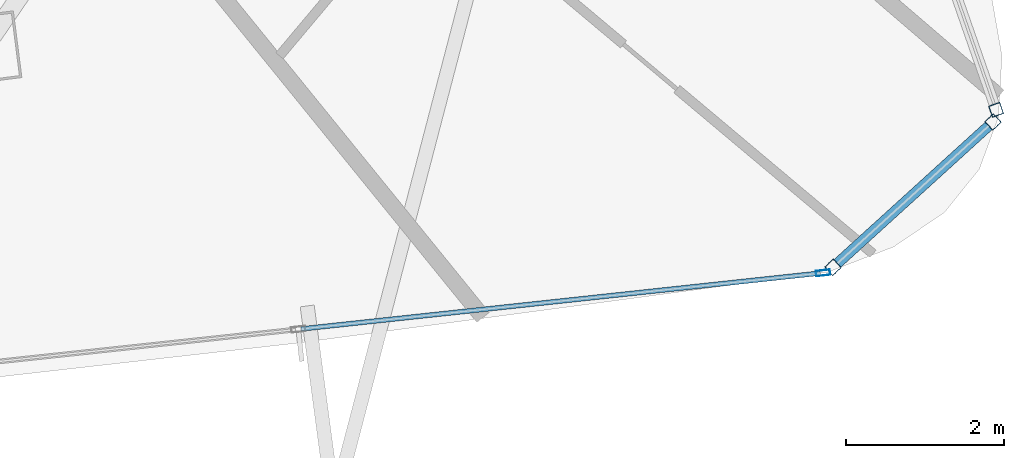
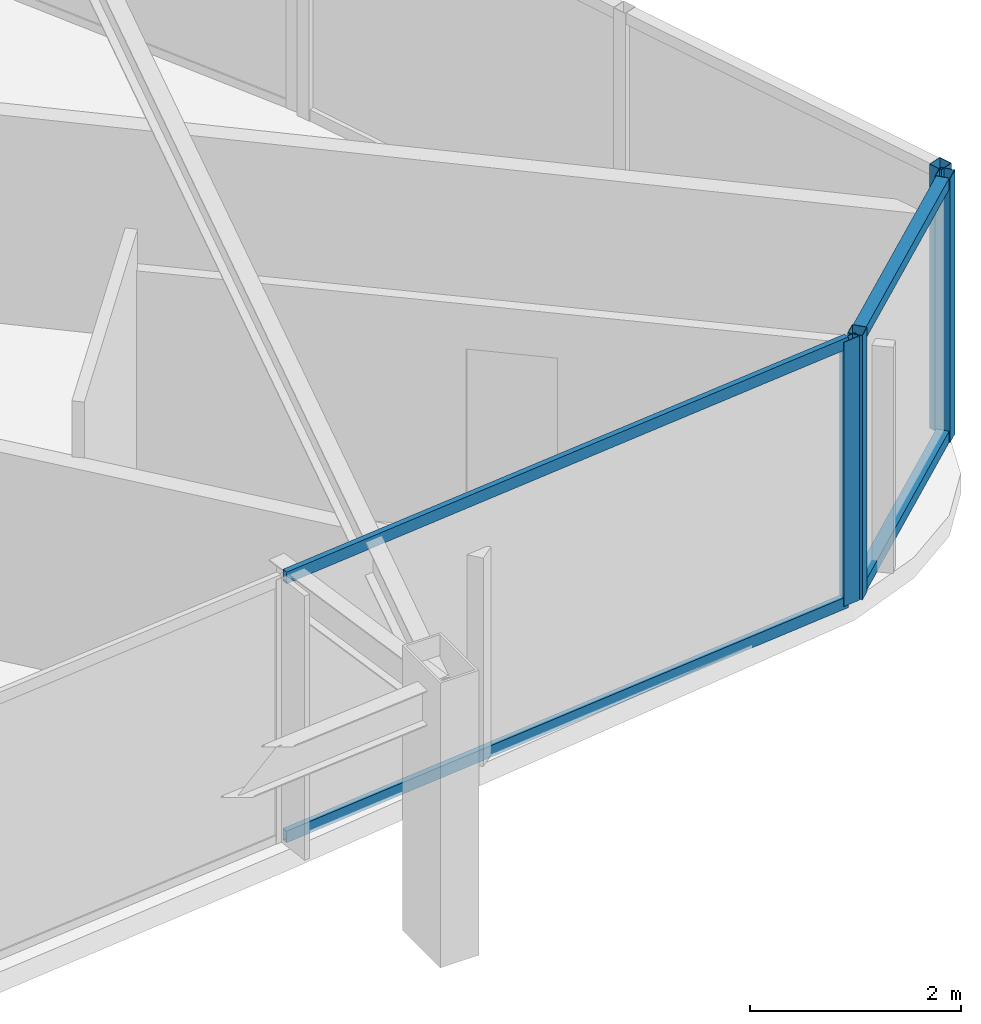
# One storey, part 14 of 35: 8 members, 3 elements without a shape of their own.
"""IFC4 building model written with IfcOpenShell, lengths in metres."""

import ifcopenshell
import ifcopenshell.guid

model = None  # the IFC model being written
_history = None  # IfcOwnerHistory: only IFC2X3 demands one
_inside = {}  # id of a spatial element -> (the spatial element, [elements in it])
_under = {}  # id of a project, library or spatial element -> (it, [spatial elements below it])
_declared = {}  # id of a project -> (the project, [libraries it declares])
_typed = {}  # id of a type object -> (the type object, [elements of that type])
_made_of = {}  # id of a material, layer set ... -> (it, [elements and type objects made of it])


def new_model(schema):
    """Start an empty IFC model of exactly this schema.

    Asked for "IFC4X3", IfcOpenShell would pick the latest addendum, in which some entities
    have other attributes; the version numbers below select the first issue.
    IFC2X3 requires an IfcOwnerHistory on every rooted entity: one is made here for all.
    """
    global model, _history
    if schema == "IFC4X3":
        model = ifcopenshell.file(schema_version=(4, 3, 0, 0))
    else:
        model = ifcopenshell.file(schema=schema)
    _inside.clear()
    _under.clear()
    _declared.clear()
    _typed.clear()
    _made_of.clear()
    _history = None
    if model.schema == "IFC2X3":
        org = make("IfcOrganization", Name="unknown")
        user = make(
            "IfcPersonAndOrganization",
            ThePerson=make("IfcPerson", FamilyName="unknown"),
            TheOrganization=org,
        )
        app = make(
            "IfcApplication",
            ApplicationDeveloper=org,
            Version="unknown",
            ApplicationFullName="unknown",
            ApplicationIdentifier="unknown",
        )
        _history = make(
            "IfcOwnerHistory",
            OwningUser=user,
            OwningApplication=app,
            ChangeAction="ADDED",
            CreationDate=0,
        )
    return model


def make(cls, **values):
    """One entity of the class cls with the attributes given. An attribute that is None is left unset."""
    return model.create_entity(
        cls, **{name: value for name, value in values.items() if value is not None}
    )


def rooted(cls, **values):
    """An entity with a GlobalId (a new one), such as an element, a storey or a relation."""
    return make(cls, GlobalId=ifcopenshell.guid.new(), OwnerHistory=_history, **values)


def si_unit(unit_type, name, prefix=None):
    """IfcSIUnit, for example si_unit("LENGTHUNIT", "METRE", prefix="MILLI")."""
    return make("IfcSIUnit", UnitType=unit_type, Prefix=prefix, Name=name)


def assignment(units):
    """IfcUnitAssignment: the units of a project."""
    return None if units is None else make("IfcUnitAssignment", Units=units)


def point(xyz):
    """IfcCartesianPoint."""
    return None if xyz is None else make("IfcCartesianPoint", Coordinates=xyz)


def direction(xyz):
    """IfcDirection."""
    return None if xyz is None else make("IfcDirection", DirectionRatios=xyz)


def frame(location, z_axis=None, x_axis=None):
    """IfcAxis2Placement3D, a coordinate frame: its origin and axes. An axis left out is left unset."""
    return make(
        "IfcAxis2Placement3D",
        Location=point(location),
        Axis=direction(z_axis),
        RefDirection=direction(x_axis),
    )


def frame_2d(location, x_axis=None):
    """IfcAxis2Placement2D, a coordinate frame in the plane: its origin and x axis."""
    return make(
        "IfcAxis2Placement2D", Location=point(location), RefDirection=direction(x_axis)
    )


def origin():
    """The frame at (0, 0, 0) with its axes left unset."""
    return frame((0.0, 0.0, 0.0))


def origin_2d():
    """The frame at (0, 0) in the plane with its x axis left unset."""
    return frame_2d((0.0, 0.0))


def place(relative_to, where):
    """IfcLocalPlacement: puts the frame where relative to a parent placement (None: the world)."""
    return make(
        "IfcLocalPlacement", PlacementRelTo=relative_to, RelativePlacement=where
    )


def context(
    kind, dimensions, precision=None, world=None, true_north=None, identifier=None
):
    """IfcGeometricRepresentationContext, for example the 3D "Model" context."""
    return make(
        "IfcGeometricRepresentationContext",
        ContextIdentifier=identifier,
        ContextType=kind,
        CoordinateSpaceDimension=dimensions,
        Precision=precision,
        WorldCoordinateSystem=world,
        TrueNorth=true_north,
    )


def subcontext(parent, identifier, kind, view, scale=None):
    """IfcGeometricRepresentationSubContext, for example "Body" below "Model"."""
    return make(
        "IfcGeometricRepresentationSubContext",
        ContextIdentifier=identifier,
        ContextType=kind,
        ParentContext=parent,
        TargetScale=scale,
        TargetView=view,
    )


def project(units=None, contexts=None):
    """IfcProject with its units and contexts."""
    return rooted(
        "IfcProject",
        Name="project",
        RepresentationContexts=contexts,
        UnitsInContext=assignment(units),
    )


def spatial(cls, under=None, at=None, **own):
    """A site, building, storey or space (cls), placed at a placement, below another one or the project."""
    s = rooted(cls, ObjectPlacement=at, **own)
    if under is not None:
        _under.setdefault(under.id(), (under, []))[1].append(s)
    return s


def profile(cls, at=None, kind="AREA", **sizes):
    """A parametric profile (cls). Its sizes go by their IFC names, for example OverallWidth=200.0."""
    return make(cls, ProfileType=kind, Position=at, **sizes)


def hollow_rectangle(**sizes):
    """IfcRectangleHollowProfileDef."""
    return profile("IfcRectangleHollowProfileDef", **sizes)


def extrude(swept, where, along, depth):
    """IfcExtrudedAreaSolid: the profile swept, set in the frame where, extruded along a direction by depth."""
    return make(
        "IfcExtrudedAreaSolid",
        SweptArea=swept,
        Position=where,
        ExtrudedDirection=direction(along),
        Depth=depth,
    )


def shape(context_of_items, identifier, shape_type, items):
    """IfcShapeRepresentation: the items that make up one representation, for example the "Body"."""
    return make(
        "IfcShapeRepresentation",
        ContextOfItems=context_of_items,
        RepresentationIdentifier=identifier,
        RepresentationType=shape_type,
        Items=items,
    )


def material(Name=None, Category=None):
    """IfcMaterial."""
    return make("IfcMaterial", Name=Name, Category=Category)


def layer(
    of_material, thickness, ventilated=None, Name=None, Category=None, Priority=None
):
    """IfcMaterialLayer: one layer of a wall or slab, of a material (None: an air gap)."""
    return make(
        "IfcMaterialLayer",
        Material=of_material,
        LayerThickness=thickness,
        IsVentilated=ventilated,
        Name=Name,
        Category=Category,
        Priority=Priority,
    )


def layer_set(layers, Name=None):
    """IfcMaterialLayerSet."""
    return make("IfcMaterialLayerSet", MaterialLayers=layers, LayerSetName=Name)


def material_profile(
    of_material, cross_section, Name=None, Category=None, Priority=None
):
    """IfcMaterialProfile: a cross section and its material."""
    return make(
        "IfcMaterialProfile",
        Name=Name,
        Material=of_material,
        Profile=cross_section,
        Priority=Priority,
        Category=Category,
    )


def profile_set(profiles, Name=None, composite=None):
    """IfcMaterialProfileSet."""
    return make(
        "IfcMaterialProfileSet",
        Name=Name,
        MaterialProfiles=profiles,
        CompositeProfile=composite,
    )


def made_of(thing, what):
    """Note that an element or type object is made of a material, layer set ...; save() writes the relation."""
    if what is not None:
        _made_of.setdefault(what.id(), (what, []))[1].append(thing)
    return thing


def type_object(cls, material=None, **own):
    """A type object (cls), such as IfcWallType, which elements share."""
    return made_of(rooted(cls, **own), material)


def element(
    cls,
    number,
    at=None,
    inside=None,
    cuts=None,
    type_object=None,
    material=None,
    context=None,
    identifier="Body",
    shape_type=None,
    held_by="IfcProductDefinitionShape",
    body=None,
    shapes=None,
    **own,
):
    """One element of the class cls, such as IfcWall. Its Tag is "e" and its number.

    at: its placement. inside: the storey or other place that contains it. cuts: it is an
    opening in that element (IfcRelVoidsElement). A single representation is given by context,
    identifier, shape_type and body (its items); several are given by shapes. held_by: the class
    of the entity that holds the representations. save() writes the other relations.
    """
    e = rooted(cls, Tag="e%d" % number, ObjectPlacement=at, **own)
    if body is not None:
        shapes = [shape(context, identifier, shape_type, body)]
    if shapes is not None:
        e.Representation = make(held_by, Representations=shapes)
    if inside is not None:
        _inside.setdefault(inside.id(), (inside, []))[1].append(e)
    if cuts is not None:
        rooted(
            "IfcRelVoidsElement", RelatingBuildingElement=cuts, RelatedOpeningElement=e
        )
    if type_object is not None:
        _typed.setdefault(type_object.id(), (type_object, []))[1].append(e)
    return made_of(e, material)


def aggregate(whole, parts):
    """IfcRelAggregates: a whole, such as a stair, and the parts it consists of."""
    return rooted("IfcRelAggregates", RelatingObject=whole, RelatedObjects=parts)


def save(model, path):
    """Write the relations noted so far, then the file.

    IfcRelAggregates (storeys below a building ...), IfcRelContainedInSpatialStructure (elements
    in a storey), IfcRelDefinesByType, IfcRelAssociatesMaterial and IfcRelDeclares: one each for
    every whole, place, type object, material and project.
    """
    for whole, parts in _under.values():
        aggregate(whole, parts)
    for where, things in _inside.values():
        rooted(
            "IfcRelContainedInSpatialStructure",
            RelatedElements=things,
            RelatingStructure=where,
        )
    for kind, things in _typed.values():
        rooted("IfcRelDefinesByType", RelatedObjects=things, RelatingType=kind)
    for what, things in _made_of.values():
        rooted("IfcRelAssociatesMaterial", RelatedObjects=things, RelatingMaterial=what)
    for by, libraries in _declared.values():
        rooted("IfcRelDeclares", RelatingContext=by, RelatedDefinitions=libraries)
    model.write(path)


model = new_model("IFC4")

# Units and contexts
model_context = context("Model", 3, precision=1e-05, world=origin(), true_north=direction((0.0, 1.0)))
body_context = subcontext(model_context, "Body", "Model", "MODEL_VIEW")
ifc_project = project(units=[si_unit("LENGTHUNIT", "METRE"), si_unit("AREAUNIT", "SQUARE_METRE"), si_unit("VOLUMEUNIT", "CUBIC_METRE"), si_unit("PLANEANGLEUNIT", "RADIAN"), si_unit("MASSUNIT", "GRAM", prefix="KILO")], contexts=[model_context])

# Site, building, storey
site_placement = place(None, origin())
site = spatial("IfcSite", under=ifc_project, at=site_placement, CompositionType="ELEMENT")
building_placement = place(site_placement, origin())
building = spatial("IfcBuilding", under=site, at=building_placement, Name="Orvanel Arch Residences", CompositionType="ELEMENT")
storey_placement = place(building_placement, frame((0.0, 0.0, 33.5)))
storey = spatial("IfcBuildingStorey", under=building, at=storey_placement, Name="L08", CompositionType="ELEMENT", Elevation=33.5)

# Curtain wall, members
ifc_material = material(Name="Bronze-anodised aluminium AA6063-T6", Category="aluminium")
ifc_layer_1 = layer(ifc_material, 0.18994140625)
ifc_layer_set_1 = layer_set([ifc_layer_1], Name="Bronze-anodised aluminium AA6063-T6")
curtain_wall_type_1 = type_object("IfcCurtainWallType", Name="CW5-CRN-SYS", PredefinedType="NOTDEFINED", material=ifc_layer_set_1)
curtain_wall_1_placement = place(storey_placement, origin())
curtain_wall_1 = element("IfcCurtainWall", 1, at=curtain_wall_1_placement, inside=storey, type_object=curtain_wall_type_1, Name="L08 CW5-CRN-SYS Unitised Curtain Wall", PredefinedType="NOTDEFINED")
ifc_material_profile_1 = material_profile(ifc_material, hollow_rectangle(XDim=0.14990234375, YDim=0.14990234375, WallThickness=0.0048828125, at=origin_2d()), Name="ALU150x150x5")
ifc_profile_set_1 = profile_set([ifc_material_profile_1], Name="Bronze-anodised aluminium AA6063-T6")
member_type_1 = type_object("IfcMemberType", Name="MUL-150x150", PredefinedType="MULLION", material=ifc_profile_set_1)
member_1_placement = place(storey_placement, frame((59.781494140625, 3.573486328125, 0.0), z_axis=(0.0, 0.0, 1.0), x_axis=(-0.672465516, 0.740128454926, 0.0)))
member_1 = element("IfcMember", 2, at=member_1_placement, type_object=member_type_1, Name="CW-S5 mullion 1", PredefinedType="MULLION", context=body_context, shape_type="SweptSolid", body=[
    extrude(hollow_rectangle(XDim=0.14990234375, YDim=0.14990234375, WallThickness=0.0048828125, at=origin_2d()), origin(), (0.0, 0.0, 1.0), 3.06005859375),
])
member_2_placement = place(storey_placement, frame((61.803466796875, 5.41064453125, 0.0), z_axis=(0.0, 0.0, 1.0), x_axis=(-0.672465516, 0.740128454926, 0.0)))
member_2 = element("IfcMember", 3, at=member_2_placement, type_object=member_type_1, Name="CW-S5 mullion 2", PredefinedType="MULLION", context=body_context, shape_type="SweptSolid", body=[
    extrude(hollow_rectangle(XDim=0.14990234375, YDim=0.14990234375, WallThickness=0.0048828125, at=origin_2d()), origin(), (0.0, 0.0, 1.0), 3.06005859375),
])

# Curtain wall, member
curtain_wall_2_placement = place(storey_placement, origin())
curtain_wall_2 = element("IfcCurtainWall", 4, at=curtain_wall_2_placement, inside=storey, type_object=curtain_wall_type_1, Name="L08 CW5-CRN-SYS Unitised Curtain Wall", PredefinedType="NOTDEFINED")
member_3_placement = place(storey_placement, frame((61.84228515625, 5.563720703125, 0.0), z_axis=(0.0, 0.0, 1.0), x_axis=(-0.94424408755, -0.329246265169, 0.0)))
member_3 = element("IfcMember", 5, at=member_3_placement, type_object=member_type_1, Name="CW-S5 mullion 1", PredefinedType="MULLION", context=body_context, shape_type="SweptSolid", body=[
    extrude(hollow_rectangle(XDim=0.14990234375, YDim=0.14990234375, WallThickness=0.0048828125, at=origin_2d()), origin(), (0.0, 0.0, 1.0), 3.06005859375),
])
aggregate(curtain_wall_2, [member_3])

ifc_layer_2 = layer(ifc_material, 0.179931640625)
ifc_layer_set_2 = layer_set([ifc_layer_2], Name="Bronze-anodised aluminium AA6063-T6")
curtain_wall_type_2 = type_object("IfcCurtainWallType", Name="CW2-LOW-SYS", PredefinedType="NOTDEFINED", material=ifc_layer_set_2)
curtain_wall_3_placement = place(storey_placement, origin())
curtain_wall_3 = element("IfcCurtainWall", 6, at=curtain_wall_3_placement, inside=storey, type_object=curtain_wall_type_2, Name="L08 CW2-LOW-SYS Unitised Curtain Wall", PredefinedType="NOTDEFINED")
ifc_material_profile_2 = material_profile(ifc_material, hollow_rectangle(XDim=0.070068359375, YDim=0.179931640625, WallThickness=0.00439453125, at=origin_2d()), Name="ALU180x70x4.5")
ifc_profile_set_2 = profile_set([ifc_material_profile_2], Name="Bronze-anodised aluminium AA6063-T6")
member_type_2 = type_object("IfcMemberType", Name="MUL-180x70", PredefinedType="MULLION", material=ifc_profile_set_2)
member_4_placement = place(storey_placement, frame((59.65625, 3.504150390625, 0.0), z_axis=(0.0, 0.0, 1.0), x_axis=(-0.106921178668, 0.994267499998, 0.0)))
member_4 = element("IfcMember", 7, at=member_4_placement, type_object=member_type_2, Name="CW-S2 mullion 4", PredefinedType="MULLION", context=body_context, shape_type="SweptSolid", body=[
    extrude(hollow_rectangle(XDim=0.070068359375, YDim=0.179931640625, WallThickness=0.00439453125, at=origin_2d()), origin(), (0.0, 0.0, 1.0), 3.06005859375),
])

# Member
ifc_material_profile_3 = material_profile(ifc_material, hollow_rectangle(XDim=0.1298828125, YDim=0.1298828125, WallThickness=0.00439453125, at=origin_2d()), Name="ALU130x130x4.5")
ifc_profile_set_3 = profile_set([ifc_material_profile_3], Name="Bronze-anodised aluminium AA6063-T6")
member_type_3 = type_object("IfcMemberType", Name="TRN-130x130", PredefinedType="USERDEFINED", material=ifc_profile_set_3)
member_5_placement = place(storey_placement, frame((59.8369140625, 3.623779296875, 0.06494140625), z_axis=(0.7401453986, 0.672446866995, 0.0), x_axis=(-0.672446866995, 0.7401453986, 0.0)))
member_5 = element("IfcMember", 8, at=member_5_placement, type_object=member_type_3, Name="CW-S5 transom 1.1", ObjectType="TRANSOM", PredefinedType="USERDEFINED", context=body_context, shape_type="SweptSolid", body=[
    extrude(hollow_rectangle(XDim=0.1298828125, YDim=0.1298828125, WallThickness=0.00439453125, at=origin_2d()), origin(), (0.0, 0.0, 1.0), 2.58203125),
])

member_6_placement = place(storey_placement, frame((59.8369140625, 3.623779296875, 2.9951171875), z_axis=(0.7401453986, 0.672446866995, 0.0), x_axis=(-0.672446866995, 0.7401453986, 0.0)))
member_6 = element("IfcMember", 9, at=member_6_placement, type_object=member_type_3, Name="CW-S5 transom 1.2", ObjectType="TRANSOM", PredefinedType="USERDEFINED", context=body_context, shape_type="SweptSolid", body=[
    extrude(hollow_rectangle(XDim=0.1298828125, YDim=0.1298828125, WallThickness=0.00439453125, at=origin_2d()), origin(), (0.0, 0.0, 1.0), 2.58203125),
])

aggregate(curtain_wall_1, [member_1, member_2, member_5, member_6])

ifc_material_profile_4 = material_profile(ifc_material, hollow_rectangle(XDim=0.06005859375, YDim=0.135009765625, WallThickness=0.00390625, at=origin_2d()), Name="ALU135x60x4")
ifc_profile_set_4 = profile_set([ifc_material_profile_4], Name="Bronze-anodised aluminium AA6063-T6")
member_type_4 = type_object("IfcMemberType", Name="TRN-135x60", PredefinedType="USERDEFINED", material=ifc_profile_set_4)
member_7_placement = place(storey_placement, frame((53.0615234375, 2.795166015625, 0.030029296875), z_axis=(0.994269186717, 0.106905492591, 0.0), x_axis=(-0.106905492591, 0.994269186717, 0.0)))
member_7 = element("IfcMember", 10, at=member_7_placement, type_object=member_type_4, Name="CW-S2 transom 3.1", ObjectType="TRANSOM", PredefinedType="USERDEFINED", context=body_context, shape_type="SweptSolid", body=[
    extrude(hollow_rectangle(XDim=0.06005859375, YDim=0.135009765625, WallThickness=0.00390625, at=origin_2d()), origin(), (0.0, 0.0, 1.0), 6.59765625),
])

member_8_placement = place(storey_placement, frame((53.0615234375, 2.795166015625, 3.030029296875), z_axis=(0.994269186717, 0.106905492591, 0.0), x_axis=(-0.106905492591, 0.994269186717, 0.0)))
member_8 = element("IfcMember", 11, at=member_8_placement, type_object=member_type_4, Name="CW-S2 transom 3.2", ObjectType="TRANSOM", PredefinedType="USERDEFINED", context=body_context, shape_type="SweptSolid", body=[
    extrude(hollow_rectangle(XDim=0.06005859375, YDim=0.135009765625, WallThickness=0.00390625, at=origin_2d()), origin(), (0.0, 0.0, 1.0), 6.59765625),
])

aggregate(curtain_wall_3, [member_4, member_7, member_8])

save(model, "model.ifc")
